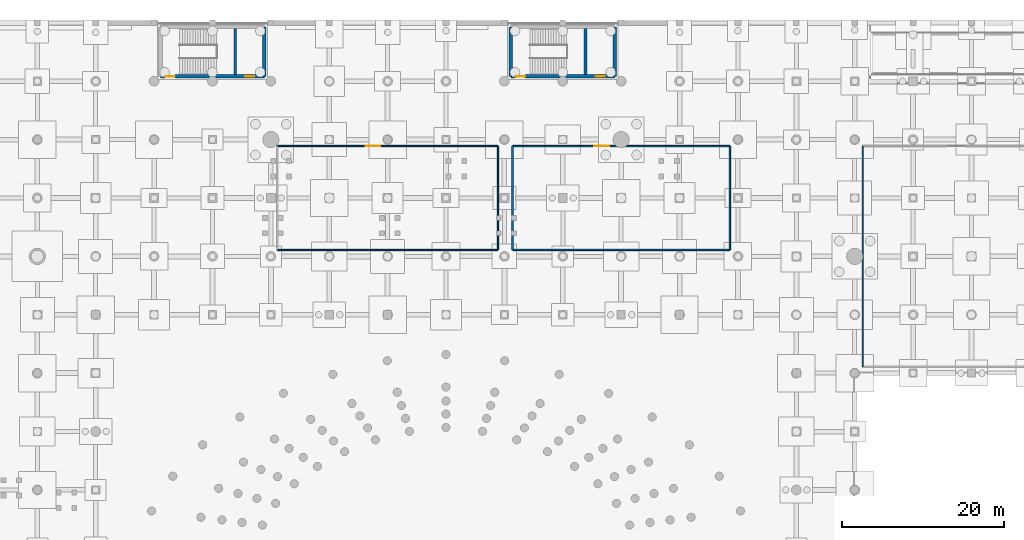
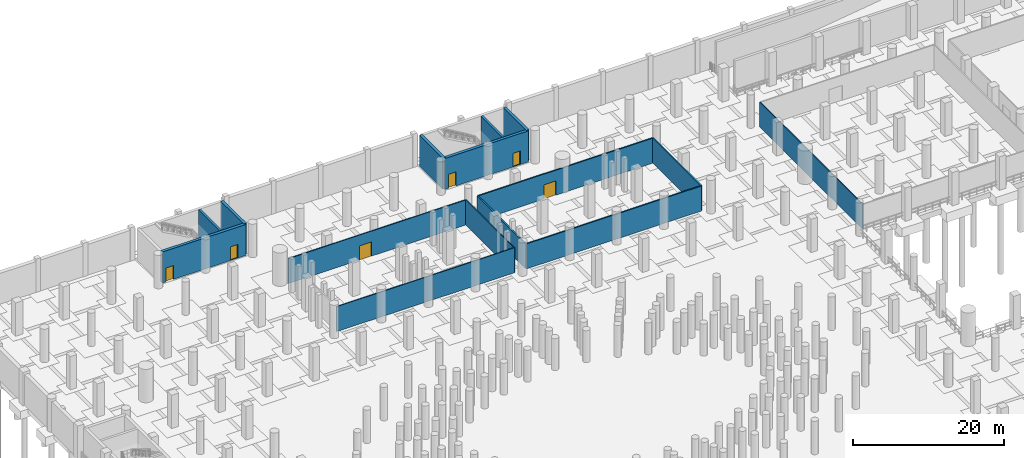
# One storey, part 26 of 37: 15 walls, 6 doors, 6 openings.
"""IFC4 building model written with IfcOpenShell, lengths in metres."""

from ifc_helpers import new_model, si_unit, direction, frame, frame_2d, origin, place, context, subcontext, project, spatial, rectangle, extrude, material, layer, layer_set, type_object, element, fill, save


model = new_model("IFC4")

# Units and contexts
model_context = context("Model", 3, precision=1e-05, world=origin(), true_north=direction((0.0, 1.0)))
body_context = subcontext(model_context, "Body", "Model", "MODEL_VIEW")
ifc_project = project(units=[si_unit("LENGTHUNIT", "METRE"), si_unit("AREAUNIT", "SQUARE_METRE"), si_unit("VOLUMEUNIT", "CUBIC_METRE"), si_unit("PLANEANGLEUNIT", "RADIAN"), si_unit("MASSUNIT", "GRAM", prefix="KILO")], contexts=[model_context])

# Site, building, storey
site_placement = place(None, origin())
site = spatial("IfcSite", under=ifc_project, at=site_placement, CompositionType="ELEMENT")
building_placement = place(site_placement, origin())
building = spatial("IfcBuilding", under=site, at=building_placement, Name="Qandorah Velis Arena", CompositionType="ELEMENT")
storey_placement = place(building_placement, frame((0.0, 0.0, -5.39990234375)))
storey = spatial("IfcBuildingStorey", under=building, at=storey_placement, Name="B1", CompositionType="ELEMENT", Elevation=-5.39990234375)

# Walls
ifc_material_1 = material(Name="Concrete C35/45", Category="concrete")
ifc_layer_1 = layer(ifc_material_1, 0.199951171875)
ifc_layer_set_1 = layer_set([ifc_layer_1], Name="Concrete C35/45")
wall_type_1 = type_object("IfcWallType", Name="ARC-WAL-FD60-200", PredefinedType="PARTITIONING", material=ifc_layer_set_1)
wall_1_placement = place(storey_placement, frame((73.0, 101.60009765625, 0.0), z_axis=(0.0, 0.0, 1.0), x_axis=(1.0, 0.0, 0.0)))
element("IfcWall", 1, at=wall_1_placement, inside=storey, type_object=wall_type_1, Name="Interior partition B1-EQP-STR (S)", PredefinedType="PARTITIONING", context=body_context, shape_type="SweptSolid", body=[
    extrude(rectangle(XDim=26.800048828125, YDim=0.199951171875, at=frame_2d((13.39990234375, 0.0))), origin(), (0.0, 0.0, 1.0), 4.039794921875),
])
wall_2_placement = place(storey_placement, frame((99.800048828125, 101.60009765625, 0.0), z_axis=(0.0, 0.0, 1.0), x_axis=(0.0, 1.0, 0.0)))
element("IfcWall", 2, at=wall_2_placement, inside=storey, type_object=wall_type_1, Name="Interior partition B1-EQP-STR (E)", PredefinedType="PARTITIONING", context=body_context, shape_type="SweptSolid", body=[
    extrude(rectangle(XDim=12.7998046875, YDim=0.199951171875, at=frame_2d((6.39990234375, 0.0))), origin(), (0.0, 0.0, 1.0), 4.039794921875),
])

# Wall, opening, door
wall_3_placement = place(storey_placement, frame((99.800048828125, 114.39990234375, 0.0), z_axis=(0.0, 0.0, 1.0), x_axis=(-1.0, 0.0, 0.0)))
wall_3 = element("IfcWall", 3, at=wall_3_placement, inside=storey, type_object=wall_type_1, Name="Interior partition B1-EQP-STR (N)", PredefinedType="PARTITIONING", context=body_context, shape_type="SweptSolid", body=[
    extrude(rectangle(XDim=26.800048828125, YDim=0.199951171875, at=frame_2d((13.39990234375, 0.0))), origin(), (0.0, 0.0, 1.0), 4.039794921875),
])
opening_1_placement = place(wall_3_placement, frame((14.89990234375, 0.0, 0.0)))
opening_1 = element("IfcOpeningElement", 4, at=opening_1_placement, cuts=wall_3, Name="Opening FD1", PredefinedType="OPENING", context=body_context, shape_type="SweptSolid", body=[
    extrude(rectangle(XDim=1.800048828125, YDim=2.300048828125, at=frame_2d((0.89990234375, 1.14990234375))), frame((0.0, 0.10986328125, 0.0), z_axis=(0.0, -1.0, 0.0), x_axis=(1.0, 0.0, 0.0)), (0.0, 0.0, 1.0), 0.219970703125),
])
ifc_material_2 = material(Name="Insulated fire-rated double steel door", Category="steel")
door_type_1 = type_object("IfcDoorType", Name="ARC-DR-FD1800", OperationType="NOTDEFINED", PredefinedType="DOOR", material=ifc_material_2)
door_1_placement = place(opening_1_placement, frame((1.800048828125, 0.0, 0.0), z_axis=(0.0, 0.0, 1.0), x_axis=(-1.0, 0.0, 0.0)))
door_1 = element("IfcDoor", 5, at=door_1_placement, inside=storey, type_object=door_type_1, Name="Door B1-EQP-STR", OperationType="DOUBLE_DOOR_SINGLE_SWING", OverallHeight=2.300048828125, OverallWidth=1.800048828125, PredefinedType="DOOR", context=body_context, shape_type="SweptSolid", body=[
    extrude(rectangle(XDim=1.800048828125, YDim=2.300048828125, at=frame_2d((0.89990234375, 1.14990234375))), frame((0.0, 0.02490234375, 0.0), z_axis=(0.0, -1.0, 0.0), x_axis=(1.0, 0.0, 0.0)), (0.0, 0.0, 1.0), 0.050048828125),
])
fill(opening_1, door_1)

# Walls
wall_4_placement = place(storey_placement, frame((73.0, 114.39990234375, 0.0), z_axis=(0.0, 0.0, 1.0), x_axis=(0.0, -1.0, 0.0)))
element("IfcWall", 6, at=wall_4_placement, inside=storey, type_object=wall_type_1, Name="Interior partition B1-EQP-STR (W)", PredefinedType="PARTITIONING", context=body_context, shape_type="SweptSolid", body=[
    extrude(rectangle(XDim=12.7998046875, YDim=0.199951171875, at=frame_2d((6.39990234375, 0.0))), origin(), (0.0, 0.0, 1.0), 4.039794921875),
])
ifc_layer_2 = layer(ifc_material_1, 0.14990234375)
ifc_layer_set_2 = layer_set([ifc_layer_2], Name="Concrete C35/45")
wall_type_2 = type_object("IfcWallType", Name="ARC-WAL-PART150", PredefinedType="PARTITIONING", material=ifc_layer_set_2)
wall_5_placement = place(storey_placement, frame((44.0, 101.60009765625, 0.0), z_axis=(0.0, 0.0, 1.0), x_axis=(1.0, 0.0, 0.0)))
element("IfcWall", 7, at=wall_5_placement, inside=storey, type_object=wall_type_2, Name="Interior partition B1-PRS-INT (S)", PredefinedType="PARTITIONING", context=body_context, shape_type="SweptSolid", body=[
    extrude(rectangle(XDim=27.199951171875, YDim=0.14990234375, at=frame_2d((13.60009765625, 0.0))), origin(), (0.0, 0.0, 1.0), 4.039794921875),
])
wall_6_placement = place(storey_placement, frame((71.199951171875, 101.60009765625, 0.0), z_axis=(0.0, 0.0, 1.0), x_axis=(0.0, 1.0, 0.0)))
element("IfcWall", 8, at=wall_6_placement, inside=storey, type_object=wall_type_2, Name="Interior partition B1-PRS-INT (E)", PredefinedType="PARTITIONING", context=body_context, shape_type="SweptSolid", body=[
    extrude(rectangle(XDim=12.7998046875, YDim=0.14990234375, at=frame_2d((6.39990234375, 0.0))), origin(), (0.0, 0.0, 1.0), 4.039794921875),
])

# Wall, opening, door
wall_7_placement = place(storey_placement, frame((71.199951171875, 114.39990234375, 0.0), z_axis=(0.0, 0.0, 1.0), x_axis=(-1.0, 0.0, 0.0)))
wall_7 = element("IfcWall", 9, at=wall_7_placement, inside=storey, type_object=wall_type_2, Name="Interior partition B1-PRS-INT (N)", PredefinedType="PARTITIONING", context=body_context, shape_type="SweptSolid", body=[
    extrude(rectangle(XDim=27.199951171875, YDim=0.14990234375, at=frame_2d((13.60009765625, 0.0))), origin(), (0.0, 0.0, 1.0), 4.039794921875),
])
opening_2_placement = place(wall_7_placement, frame((14.5, 0.0, 0.0)))
opening_2 = element("IfcOpeningElement", 10, at=opening_2_placement, cuts=wall_7, Name="Opening D3", PredefinedType="OPENING", context=body_context, shape_type="SweptSolid", body=[
    extrude(rectangle(XDim=1.800048828125, YDim=2.300048828125, at=frame_2d((0.89990234375, 1.14990234375))), frame((0.0, 0.0849609375, 0.0), z_axis=(0.0, -1.0, 0.0), x_axis=(1.0, 0.0, 0.0)), (0.0, 0.0, 1.0), 0.169921875),
])
ifc_material_3 = material(Name="Double-leaf acoustic timber door", Category="wood")
door_type_2 = type_object("IfcDoorType", Name="ARC-DR-DBL1800", OperationType="NOTDEFINED", PredefinedType="DOOR", material=ifc_material_3)
door_2_placement = place(opening_2_placement, origin())
door_2 = element("IfcDoor", 11, at=door_2_placement, inside=storey, type_object=door_type_2, Name="Door B1-PRS-INT", OperationType="DOUBLE_DOOR_SINGLE_SWING", OverallHeight=2.300048828125, OverallWidth=1.800048828125, PredefinedType="DOOR", context=body_context, shape_type="SweptSolid", body=[
    extrude(rectangle(XDim=1.800048828125, YDim=2.300048828125, at=frame_2d((0.89990234375, 1.14990234375))), frame((0.0, 0.02490234375, 0.0), z_axis=(0.0, -1.0, 0.0), x_axis=(1.0, 0.0, 0.0)), (0.0, 0.0, 1.0), 0.050048828125),
])
fill(opening_2, door_2)

# Wall
wall_8_placement = place(storey_placement, frame((116.199951171875, 114.39990234375, 0.0), z_axis=(0.0, 0.0, 1.0), x_axis=(0.0, -1.0, 0.0)))
element("IfcWall", 12, at=wall_8_placement, inside=storey, type_object=wall_type_2, Name="Interior partition B1-MAR-HAL (W)", PredefinedType="PARTITIONING", context=body_context, shape_type="SweptSolid", body=[
    extrude(rectangle(XDim=27.199951171875, YDim=0.14990234375, at=frame_2d((13.60009765625, 0.0))), origin(), (0.0, 0.0, 1.0), 4.039794921875),
])

# Wall, openings, doors
ifc_material_4 = material(Name="Concrete C40/50", Category="concrete")
ifc_layer_3 = layer(ifc_material_4, 0.449951171875)
ifc_layer_set_3 = layer_set([ifc_layer_3], Name="Concrete C40/50")
wall_type_3 = type_object("IfcWallType", Name="STR-WAL-CORE450", PredefinedType="SHEAR", material=ifc_layer_set_3)
wall_9_placement = place(storey_placement, frame((29.60009765625, 123.0, 0.0), z_axis=(0.0, 0.0, 1.0), x_axis=(1.0, 0.0, 0.0)))
wall_9 = element("IfcWall", 13, at=wall_9_placement, inside=storey, type_object=wall_type_3, Name="Core CORE-03 shear wall S (B1)", PredefinedType="SHEAR", context=body_context, shape_type="SweptSolid", body=[
    extrude(rectangle(XDim=12.7998046875, YDim=0.449951171875, at=frame_2d((6.39990234375, 0.0))), origin(), (0.0, 0.0, 1.0), 5.02001953125),
])
opening_3_placement = place(wall_9_placement, frame((0.550048828125, 0.0, 0.0)))
opening_3 = element("IfcOpeningElement", 14, at=opening_3_placement, cuts=wall_9, Name="Opening SD1", PredefinedType="OPENING", context=body_context, shape_type="SweptSolid", body=[
    extrude(rectangle(XDim=1.199951171875, YDim=2.25, at=frame_2d((0.60009765625, 1.125))), frame((0.0, 0.23486328125, 0.0), z_axis=(0.0, -1.0, 0.0), x_axis=(1.0, 0.0, 0.0)), (0.0, 0.0, 1.0), 0.469970703125),
])
opening_4_placement = place(wall_9_placement, frame((10.4580078125, 0.0, 0.0)))
opening_4 = element("IfcOpeningElement", 15, at=opening_4_placement, cuts=wall_9, Name="Opening LD1", PredefinedType="OPENING", context=body_context, shape_type="SweptSolid", body=[
    extrude(rectangle(XDim=1.10009765625, YDim=2.199951171875, at=frame_2d((0.550048828125, 1.10009765625))), frame((0.0, 0.23486328125, 0.0), z_axis=(0.0, -1.0, 0.0), x_axis=(1.0, 0.0, 0.0)), (0.0, 0.0, 1.0), 0.469970703125),
])
ifc_material_5 = material(Name="Stainless steel sliding lift landing door", Category="steel")
door_type_3 = type_object("IfcDoorType", Name="ARC-DR-LD1100", OperationType="NOTDEFINED", PredefinedType="DOOR", material=ifc_material_5)
door_3_placement = place(opening_4_placement, origin())
door_3 = element("IfcDoor", 16, at=door_3_placement, inside=storey, type_object=door_type_3, Name="Lift PL1 sliding landing door (B1)", OperationType="SLIDING_TO_LEFT", OverallHeight=2.199951171875, OverallWidth=1.10009765625, PredefinedType="DOOR", context=body_context, shape_type="SweptSolid", body=[
    extrude(rectangle(XDim=1.10009765625, YDim=2.199951171875, at=frame_2d((0.550048828125, 1.10009765625))), frame((0.0, 0.02490234375, 0.0), z_axis=(0.0, -1.0, 0.0), x_axis=(1.0, 0.0, 0.0)), (0.0, 0.0, 1.0), 0.050048828125),
])
fill(opening_4, door_3)
ifc_material_6 = material(Name="Self-closing fire-rated stair steel door", Category="steel")
door_type_4 = type_object("IfcDoorType", Name="ARC-DR-ST1200", OperationType="NOTDEFINED", PredefinedType="DOOR", material=ifc_material_6)
door_4_placement = place(opening_3_placement, origin())
door_4 = element("IfcDoor", 17, at=door_4_placement, inside=storey, type_object=door_type_4, Name="Stair ST3 fire door (B1)", OperationType="SINGLE_SWING_RIGHT", OverallHeight=2.25, OverallWidth=1.199951171875, PredefinedType="DOOR", context=body_context, shape_type="SweptSolid", body=[
    extrude(rectangle(XDim=1.199951171875, YDim=2.25, at=frame_2d((0.60009765625, 1.125))), frame((0.0, 0.02490234375, 0.0), z_axis=(0.0, -1.0, 0.0), x_axis=(1.0, 0.0, 0.0)), (0.0, 0.0, 1.0), 0.050048828125),
])
fill(opening_3, door_4)

# Wall
wall_10_placement = place(storey_placement, frame((42.39990234375, 123.0, 0.0), z_axis=(0.0, 0.0, 1.0), x_axis=(0.0, 1.0, 0.0)))
element("IfcWall", 18, at=wall_10_placement, inside=storey, type_object=wall_type_3, Name="Core CORE-03 shear wall E (B1)", PredefinedType="SHEAR", context=body_context, shape_type="SweptSolid", body=[
    extrude(rectangle(XDim=6.10009765625, YDim=0.449951171875, at=frame_2d((3.050048828125, 0.0))), origin(), (0.0, 0.0, 1.0), 5.02001953125),
])

# Wall, openings, doors
wall_11_placement = place(storey_placement, frame((72.800048828125, 123.0, 0.0), z_axis=(0.0, 0.0, 1.0), x_axis=(1.0, 0.0, 0.0)))
wall_11 = element("IfcWall", 19, at=wall_11_placement, inside=storey, type_object=wall_type_3, Name="Core CORE-04 shear wall S (B1)", PredefinedType="SHEAR", context=body_context, shape_type="SweptSolid", body=[
    extrude(rectangle(XDim=12.800048828125, YDim=0.449951171875, at=frame_2d((6.39990234375, 0.0))), origin(), (0.0, 0.0, 1.0), 5.02001953125),
])
opening_5_placement = place(wall_11_placement, frame((0.550048828125, 0.0, 0.0)))
opening_5 = element("IfcOpeningElement", 20, at=opening_5_placement, cuts=wall_11, Name="Opening SD1", PredefinedType="OPENING", context=body_context, shape_type="SweptSolid", body=[
    extrude(rectangle(XDim=1.199951171875, YDim=2.25, at=frame_2d((0.60009765625, 1.125))), frame((0.0, 0.23486328125, 0.0), z_axis=(0.0, -1.0, 0.0), x_axis=(1.0, 0.0, 0.0)), (0.0, 0.0, 1.0), 0.469970703125),
])
opening_6_placement = place(wall_11_placement, frame((10.4580078125, 0.0, 0.0)))
opening_6 = element("IfcOpeningElement", 21, at=opening_6_placement, cuts=wall_11, Name="Opening LD1", PredefinedType="OPENING", context=body_context, shape_type="SweptSolid", body=[
    extrude(rectangle(XDim=1.10009765625, YDim=2.199951171875, at=frame_2d((0.550048828125, 1.10009765625))), frame((0.0, 0.23486328125, 0.0), z_axis=(0.0, -1.0, 0.0), x_axis=(1.0, 0.0, 0.0)), (0.0, 0.0, 1.0), 0.469970703125),
])
door_5_placement = place(opening_6_placement, origin())
door_5 = element("IfcDoor", 22, at=door_5_placement, inside=storey, type_object=door_type_3, Name="Lift PL2 sliding landing door (B1)", OperationType="SLIDING_TO_LEFT", OverallHeight=2.199951171875, OverallWidth=1.10009765625, PredefinedType="DOOR", context=body_context, shape_type="SweptSolid", body=[
    extrude(rectangle(XDim=1.10009765625, YDim=2.199951171875, at=frame_2d((0.550048828125, 1.10009765625))), frame((0.0, 0.02490234375, 0.0), z_axis=(0.0, -1.0, 0.0), x_axis=(1.0, 0.0, 0.0)), (0.0, 0.0, 1.0), 0.050048828125),
])
fill(opening_6, door_5)
door_6_placement = place(opening_5_placement, origin())
door_6 = element("IfcDoor", 23, at=door_6_placement, inside=storey, type_object=door_type_4, Name="Stair ST4 fire door (B1)", OperationType="SINGLE_SWING_LEFT", OverallHeight=2.25, OverallWidth=1.199951171875, PredefinedType="DOOR", context=body_context, shape_type="SweptSolid", body=[
    extrude(rectangle(XDim=1.199951171875, YDim=2.25, at=frame_2d((0.60009765625, 1.125))), frame((0.0, 0.02490234375, 0.0), z_axis=(0.0, -1.0, 0.0), x_axis=(1.0, 0.0, 0.0)), (0.0, 0.0, 1.0), 0.050048828125),
])
fill(opening_5, door_6)

# Walls
for number, where, z_axis, x_axis, name in (
    (24, (72.800048828125, 123.0, 0.0), (0.0, 0.0, 1.0), (0.0, 1.0, 0.0), "Core CORE-04 shear wall W (B1)"),
    (25, (85.60009765625, 123.0, 0.0), (0.0, 0.0, 1.0), (0.0, 1.0, 0.0), "Core CORE-04 shear wall E (B1)"),
):
    element("IfcWall", number, at=place(storey_placement, frame(where, z_axis=z_axis, x_axis=x_axis)), inside=storey, type_object=wall_type_3, Name=name, PredefinedType="SHEAR", context=body_context, shape_type="SweptSolid", body=[
        extrude(rectangle(XDim=6.10009765625, YDim=0.449951171875, at=frame_2d((3.050048828125, 0.0))), origin(), (0.0, 0.0, 1.0), 5.02001953125),
    ])
ifc_layer_4 = layer(ifc_material_4, 0.35009765625)
ifc_layer_set_4 = layer_set([ifc_layer_4], Name="Concrete C40/50")
wall_type_4 = type_object("IfcWallType", Name="STR-WAL-SH350", PredefinedType="SHEAR", material=ifc_layer_set_4)
for number, where, z_axis, x_axis, name in (
    (26, (38.81591796875, 123.22509765625, 0.0), (0.0, 0.0, 1.0), (0.0, 1.0, 0.0), "Core CORE-03 shaft divider shear wall (B1)"),
    (27, (82.01611328125, 123.22509765625, 0.0), (0.0, 0.0, 1.0), (0.0, 1.0, 0.0), "Core CORE-04 shaft divider shear wall (B1)"),
):
    element("IfcWall", number, at=place(storey_placement, frame(where, z_axis=z_axis, x_axis=x_axis)), inside=storey, type_object=wall_type_4, Name=name, PredefinedType="SHEAR", context=body_context, shape_type="SweptSolid", body=[
        extrude(rectangle(XDim=5.64990234375, YDim=0.35009765625, at=frame_2d((2.824951171875, 0.0))), origin(), (0.0, 0.0, 1.0), 5.02001953125),
    ])

save(model, "model.ifc")
